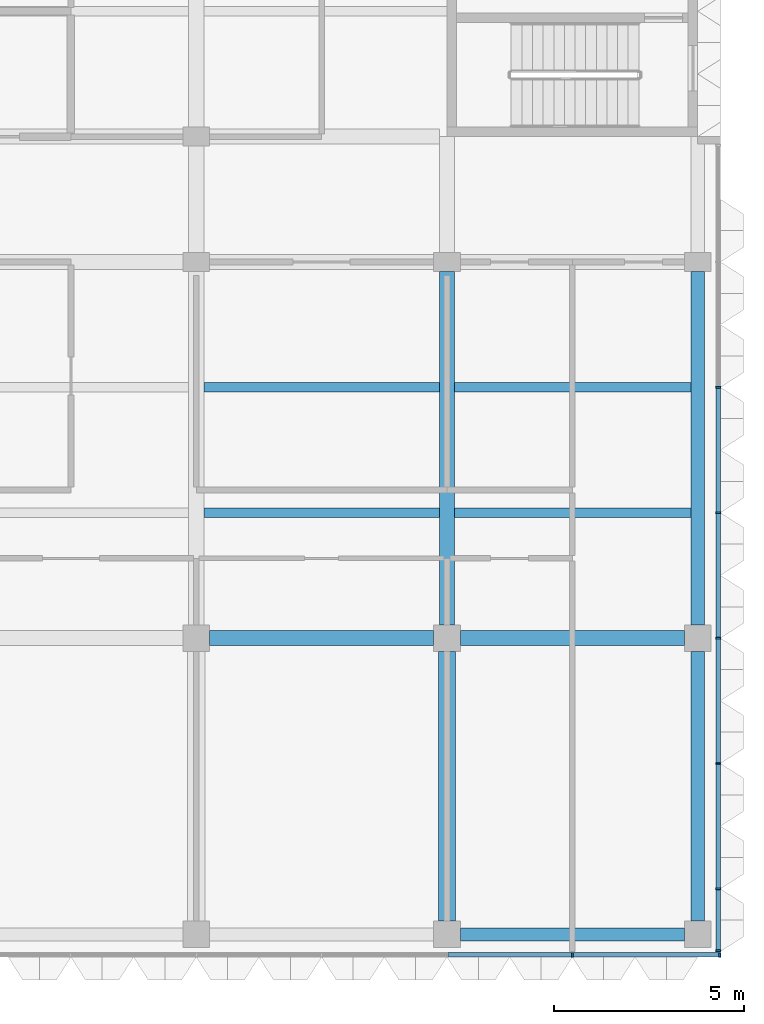
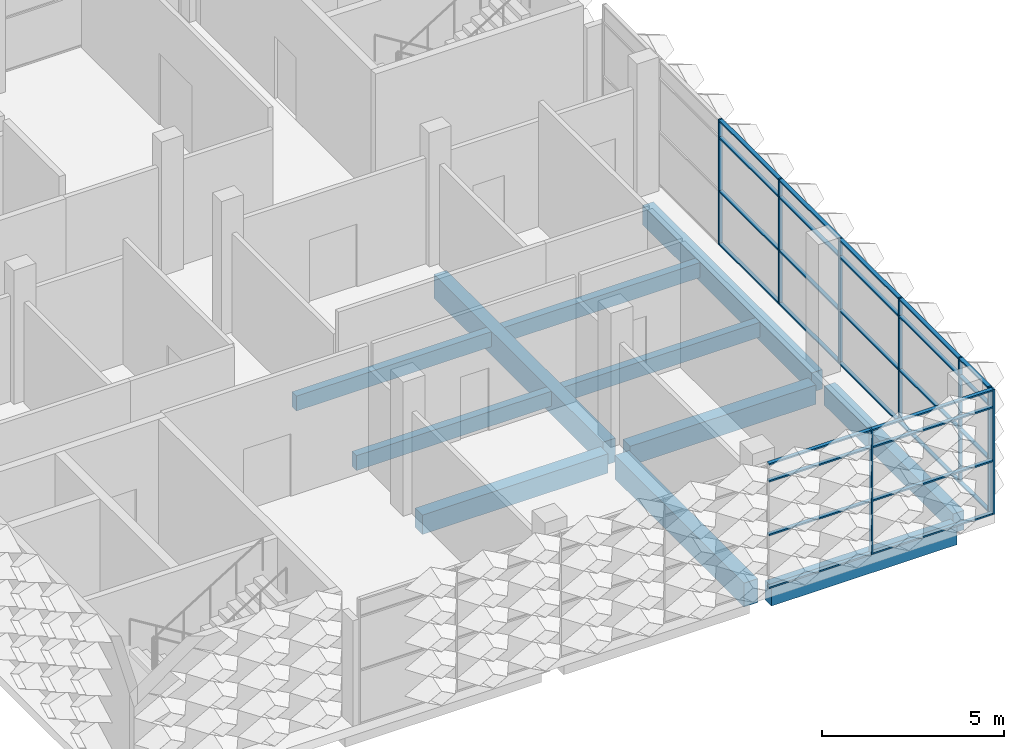
# One storey, part 3 of 28: 36 members, 11 beams, 2 elements without a shape of their own.
"""IFC4 building model written with IfcOpenShell, lengths in metres."""

from ifc_helpers import new_model, si_unit, direction, frame, origin, origin_2d, place, context, subcontext, project, spatial, rectangle, extrude, material, material_profile, profile_set, type_object, element, aggregate, save


model = new_model("IFC4")

# Units and contexts
model_context = context("Model", 3, precision=1e-05, world=origin(), true_north=direction((0.0, 1.0)))
body_context = subcontext(model_context, "Body", "Model", "MODEL_VIEW")
ifc_project = project(units=[si_unit("LENGTHUNIT", "METRE"), si_unit("AREAUNIT", "SQUARE_METRE"), si_unit("VOLUMEUNIT", "CUBIC_METRE"), si_unit("PLANEANGLEUNIT", "RADIAN"), si_unit("MASSUNIT", "GRAM", prefix="KILO")], contexts=[model_context])

# Site, building, storey
site_placement = place(None, origin())
site = spatial("IfcSite", under=ifc_project, at=site_placement, CompositionType="ELEMENT")
building_placement = place(site_placement, origin())
building = spatial("IfcBuilding", under=site, at=building_placement, Name="Lantern Court Research Institute", CompositionType="ELEMENT")
storey_placement = place(building_placement, frame((0.0, 0.0, 36.89990234375)))
storey = spatial("IfcBuildingStorey", under=building, at=storey_placement, Name="L08", CompositionType="ELEMENT", Elevation=36.89990234375)

# Curtain wall, members
ifc_material_1 = material(Name="Aluminium alloy 6063-T6", Category="aluminium")
curtain_wall_type_1 = type_object("IfcCurtainWallType", Name="Curtain wall 21250 x 4200 x 120 aluminium frame", PredefinedType="NOTDEFINED", material=ifc_material_1)
curtain_wall_1_placement = place(storey_placement, origin())
curtain_wall_1 = element("IfcCurtainWall", 1, at=curtain_wall_1_placement, inside=storey, type_object=curtain_wall_type_1, Name="Curtain wall CW085", PredefinedType="NOTDEFINED")
ifc_material_2 = material(Name="Aluminium alloy 6063-T6", Category="aluminium")
ifc_material_profile_1 = material_profile(ifc_material_2, rectangle(XDim=0.1201171875, YDim=0.050048828125, at=origin_2d()), Name="Mullion 120 x 50")
ifc_profile_set_1 = profile_set([ifc_material_profile_1], Name="Aluminium alloy 6063-T6")
member_type_1 = type_object("IfcMemberType", Name="Mullion 120 x 50 aluminium", PredefinedType="MULLION", material=ifc_profile_set_1)
member_1_placement = place(storey_placement, frame((79.739990234375, -8.22509765625, 0.0), z_axis=(0.0, 0.0, 1.0), x_axis=(1.0, 0.0, 0.0)))
member_1 = element("IfcMember", 2, at=member_1_placement, type_object=member_type_1, Name="CW085 mullion 1", PredefinedType="MULLION", context=body_context, shape_type="SweptSolid", body=[
    extrude(rectangle(XDim=0.1201171875, YDim=0.050048828125, at=origin_2d()), origin(), (0.0, 0.0, 1.0), 4.2001953125),
])
member_2_placement = place(storey_placement, frame((79.739990234375, -6.60009765625, 0.0), z_axis=(0.0, 0.0, 1.0), x_axis=(1.0, 0.0, 0.0)))
member_2 = element("IfcMember", 3, at=member_2_placement, type_object=member_type_1, Name="CW085 mullion 2", PredefinedType="MULLION", context=body_context, shape_type="SweptSolid", body=[
    extrude(rectangle(XDim=0.1201171875, YDim=0.050048828125, at=origin_2d()), origin(), (0.0, 0.0, 1.0), 4.2001953125),
])
member_3_placement = place(storey_placement, frame((79.739990234375, -3.300048828125, 0.0), z_axis=(0.0, 0.0, 1.0), x_axis=(1.0, 0.0, 0.0)))
member_3 = element("IfcMember", 4, at=member_3_placement, type_object=member_type_1, Name="CW085 mullion 3", PredefinedType="MULLION", context=body_context, shape_type="SweptSolid", body=[
    extrude(rectangle(XDim=0.1201171875, YDim=0.050048828125, at=origin_2d()), origin(), (0.0, 0.0, 1.0), 4.2001953125),
])
member_4_placement = place(storey_placement, frame((79.739990234375, 0.0, 0.0), z_axis=(0.0, 0.0, 1.0), x_axis=(1.0, 0.0, 0.0)))
member_4 = element("IfcMember", 5, at=member_4_placement, type_object=member_type_1, Name="CW085 mullion 4", PredefinedType="MULLION", context=body_context, shape_type="SweptSolid", body=[
    extrude(rectangle(XDim=0.1201171875, YDim=0.050048828125, at=origin_2d()), origin(), (0.0, 0.0, 1.0), 4.2001953125),
])
member_5_placement = place(storey_placement, frame((79.739990234375, 3.300048828125, 0.0), z_axis=(0.0, 0.0, 1.0), x_axis=(1.0, 0.0, 0.0)))
member_5 = element("IfcMember", 6, at=member_5_placement, type_object=member_type_1, Name="CW085 mullion 5", PredefinedType="MULLION", context=body_context, shape_type="SweptSolid", body=[
    extrude(rectangle(XDim=0.1201171875, YDim=0.050048828125, at=origin_2d()), origin(), (0.0, 0.0, 1.0), 4.2001953125),
])
member_6_placement = place(storey_placement, frame((79.739990234375, 6.60009765625, 0.0), z_axis=(0.0, 0.0, 1.0), x_axis=(1.0, 0.0, 0.0)))
member_6 = element("IfcMember", 7, at=member_6_placement, type_object=member_type_1, Name="CW085 mullion 6", PredefinedType="MULLION", context=body_context, shape_type="SweptSolid", body=[
    extrude(rectangle(XDim=0.1201171875, YDim=0.050048828125, at=origin_2d()), origin(), (0.0, 0.0, 1.0), 4.2001953125),
])

ifc_material_3 = material(Name="Aluminium alloy 6063-T6", Category="aluminium")
curtain_wall_type_2 = type_object("IfcCurtainWallType", Name="Curtain wall 20200 x 4200 x 120 aluminium frame", PredefinedType="NOTDEFINED", material=ifc_material_3)
curtain_wall_2_placement = place(storey_placement, origin())
curtain_wall_2 = element("IfcCurtainWall", 8, at=curtain_wall_2_placement, inside=storey, type_object=curtain_wall_type_2, Name="Curtain wall CW087", PredefinedType="NOTDEFINED")
member_7_placement = place(storey_placement, frame((75.89990234375, -8.340087890625, 0.0), z_axis=(0.0, 0.0, 1.0), x_axis=(0.0, -1.0, 0.0)))
member_7 = element("IfcMember", 9, at=member_7_placement, type_object=member_type_1, Name="CW087 mullion 6", PredefinedType="MULLION", context=body_context, shape_type="SweptSolid", body=[
    extrude(rectangle(XDim=0.1201171875, YDim=0.050048828125, at=origin_2d()), origin(), (0.0, 0.0, 1.0), 4.2001953125),
])
member_8_placement = place(storey_placement, frame((79.77490234375, -8.340087890625, 0.0), z_axis=(0.0, 0.0, 1.0), x_axis=(0.0, -1.0, 0.0)))
member_8 = element("IfcMember", 10, at=member_8_placement, type_object=member_type_1, Name="CW087 mullion 7", PredefinedType="MULLION", context=body_context, shape_type="SweptSolid", body=[
    extrude(rectangle(XDim=0.1201171875, YDim=0.050048828125, at=origin_2d()), origin(), (0.0, 0.0, 1.0), 4.2001953125),
])

# Beams
ifc_material_4 = material(Name="Concrete C40/50", Category="concrete")
ifc_material_profile_2 = material_profile(ifc_material_4, rectangle(XDim=0.39990234375, YDim=0.64990234375, at=origin_2d()), Name="RC beam 400 x 650")
ifc_profile_set_2 = profile_set([ifc_material_profile_2], Name="Concrete C40/50")
beam_type_1 = type_object("IfcBeamType", Name="RC beam 400 x 650", PredefinedType="BEAM", material=ifc_profile_set_2)
beam_1_placement = place(storey_placement, frame((66.35009765625, 0.0, -0.625), z_axis=(1.0, 0.0, 0.0), x_axis=(0.0, 1.0, 0.0)))
element("IfcBeam", 11, at=beam_1_placement, inside=storey, type_object=beam_type_1, Name="Beam L08 grid A/11-12", PredefinedType="BEAM", context=body_context, shape_type="SweptSolid", body=[
    extrude(rectangle(XDim=0.39990234375, YDim=0.64990234375, at=origin_2d()), origin(), (0.0, 0.0, 1.0), 5.89990234375),
])
beam_2_placement = place(storey_placement, frame((72.949951171875, 0.0, -0.625), z_axis=(1.0, 0.0, 0.0), x_axis=(0.0, 1.0, 0.0)))
element("IfcBeam", 12, at=beam_2_placement, inside=storey, type_object=beam_type_1, Name="Beam L08 grid A/12-13", PredefinedType="BEAM", context=body_context, shape_type="SweptSolid", body=[
    extrude(rectangle(XDim=0.39990234375, YDim=0.64990234375, at=origin_2d()), origin(), (0.0, 0.0, 1.0), 5.900146484375),
])
ifc_material_5 = material(Name="Concrete C40/50", Category="concrete")
ifc_material_profile_3 = material_profile(ifc_material_5, rectangle(XDim=0.35009765625, YDim=0.64990234375, at=origin_2d()), Name="RC beam 350 x 650")
ifc_profile_set_3 = profile_set([ifc_material_profile_3], Name="Concrete C40/50")
beam_type_2 = type_object("IfcBeamType", Name="RC edge beam 350 x 650", PredefinedType="BEAM", material=ifc_profile_set_3)
beam_3_placement = place(storey_placement, frame((79.199951171875, -7.449951171875, -0.625), z_axis=(0.0, 1.0, 0.0), x_axis=(-1.0, 0.0, 0.0)))
element("IfcBeam", 13, at=beam_3_placement, inside=storey, type_object=beam_type_2, Name="Edge beam L08 grid 13/Z-A", PredefinedType="BEAM", context=body_context, shape_type="SweptSolid", body=[
    extrude(rectangle(XDim=0.35009765625, YDim=0.64990234375, at=origin_2d()), origin(), (0.0, 0.0, 1.0), 7.099853515625),
])
beam_4_placement = place(storey_placement, frame((79.199951171875, 0.35009765625, -0.625), z_axis=(0.0, 1.0, 0.0), x_axis=(-1.0, 0.0, 0.0)))
element("IfcBeam", 14, at=beam_4_placement, inside=storey, type_object=beam_type_2, Name="Edge beam L08 grid 13/A-B", PredefinedType="BEAM", context=body_context, shape_type="SweptSolid", body=[
    extrude(rectangle(XDim=0.35009765625, YDim=0.64990234375, at=origin_2d()), origin(), (0.0, 0.0, 1.0), 9.2998046875),
])
beam_5_placement = place(storey_placement, frame((72.949951171875, -7.800048828125, -0.625), z_axis=(1.0, 0.0, 0.0), x_axis=(0.0, 1.0, 0.0)))
element("IfcBeam", 15, at=beam_5_placement, inside=storey, type_object=beam_type_2, Name="Edge beam L08 grid Z/12-13", PredefinedType="BEAM", context=body_context, shape_type="SweptSolid", body=[
    extrude(rectangle(XDim=0.35009765625, YDim=0.64990234375, at=origin_2d()), origin(), (0.0, 0.0, 1.0), 5.900146484375),
])
ifc_material_6 = material(Name="Concrete C40/50", Category="concrete")
ifc_material_profile_4 = material_profile(ifc_material_6, rectangle(XDim=0.39990234375, YDim=0.800048828125, at=origin_2d()), Name="RC beam 400 x 800")
ifc_profile_set_4 = profile_set([ifc_material_profile_4], Name="Concrete C40/50")
beam_type_3 = type_object("IfcBeamType", Name="RC girder 400 x 800", PredefinedType="BEAM", material=ifc_profile_set_4)
beam_6_placement = place(storey_placement, frame((72.60009765625, 0.35009765625, -0.699951171875), z_axis=(0.0, 1.0, 0.0), x_axis=(-1.0, 0.0, 0.0)))
element("IfcBeam", 16, at=beam_6_placement, inside=storey, type_object=beam_type_3, Name="Girder L08 grid 12/A-B", PredefinedType="BEAM", context=body_context, shape_type="SweptSolid", body=[
    extrude(rectangle(XDim=0.39990234375, YDim=0.800048828125, at=origin_2d()), origin(), (0.0, 0.0, 1.0), 9.2998046875),
])
ifc_material_7 = material(Name="Concrete C40/50", Category="concrete")
ifc_material_profile_5 = material_profile(ifc_material_7, rectangle(XDim=0.449951171875, YDim=0.800048828125, at=origin_2d()), Name="RC beam 450 x 800")
ifc_profile_set_5 = profile_set([ifc_material_profile_5], Name="Concrete C40/50")
beam_type_4 = type_object("IfcBeamType", Name="RC girder 450 x 800", PredefinedType="BEAM", material=ifc_profile_set_5)
beam_7_placement = place(storey_placement, frame((72.60009765625, -7.449951171875, -0.699951171875), z_axis=(0.0, 1.0, 0.0), x_axis=(-1.0, 0.0, 0.0)))
element("IfcBeam", 17, at=beam_7_placement, inside=storey, type_object=beam_type_4, Name="Girder L08 grid 12/Z-A", PredefinedType="BEAM", context=body_context, shape_type="SweptSolid", body=[
    extrude(rectangle(XDim=0.449951171875, YDim=0.800048828125, at=origin_2d()), origin(), (0.0, 0.0, 1.0), 7.099853515625),
])
ifc_material_8 = material(Name="Concrete C40/50", Category="concrete")
ifc_material_profile_6 = material_profile(ifc_material_8, rectangle(XDim=0.25, YDim=0.5, at=origin_2d()), Name="RC beam 250 x 500")
ifc_profile_set_6 = profile_set([ifc_material_profile_6], Name="Concrete C40/50")
beam_type_5 = type_object("IfcBeamType", Name="RC secondary beam 250 x 500", PredefinedType="BEAM", material=ifc_profile_set_6)
beam_8_placement = place(storey_placement, frame((66.199951171875, 3.300048828125, -0.5498046875), z_axis=(1.0, 0.0, 0.0), x_axis=(0.0, 1.0, 0.0)))
element("IfcBeam", 18, at=beam_8_placement, inside=storey, type_object=beam_type_5, Name="Secondary beam L08 grids 11-12 / A-B, line 1", PredefinedType="BEAM", context=body_context, shape_type="SweptSolid", body=[
    extrude(rectangle(XDim=0.25, YDim=0.5, at=origin_2d()), origin(), (0.0, 0.0, 1.0), 6.199951171875),
])
beam_9_placement = place(storey_placement, frame((72.800048828125, 3.300048828125, -0.5498046875), z_axis=(1.0, 0.0, 0.0), x_axis=(0.0, 1.0, 0.0)))
element("IfcBeam", 19, at=beam_9_placement, inside=storey, type_object=beam_type_5, Name="Secondary beam L08 grids 12-13 / A-B, line 1", PredefinedType="BEAM", context=body_context, shape_type="SweptSolid", body=[
    extrude(rectangle(XDim=0.25, YDim=0.5, at=origin_2d()), origin(), (0.0, 0.0, 1.0), 6.224853515625),
])
beam_10_placement = place(storey_placement, frame((66.199951171875, 6.60009765625, -0.5498046875), z_axis=(1.0, 0.0, 0.0), x_axis=(0.0, 1.0, 0.0)))
element("IfcBeam", 20, at=beam_10_placement, inside=storey, type_object=beam_type_5, Name="Secondary beam L08 grids 11-12 / A-B, line 2", PredefinedType="BEAM", context=body_context, shape_type="SweptSolid", body=[
    extrude(rectangle(XDim=0.25, YDim=0.5, at=origin_2d()), origin(), (0.0, 0.0, 1.0), 6.199951171875),
])
beam_11_placement = place(storey_placement, frame((72.800048828125, 6.60009765625, -0.5498046875), z_axis=(1.0, 0.0, 0.0), x_axis=(0.0, 1.0, 0.0)))
element("IfcBeam", 21, at=beam_11_placement, inside=storey, type_object=beam_type_5, Name="Secondary beam L08 grids 12-13 / A-B, line 2", PredefinedType="BEAM", context=body_context, shape_type="SweptSolid", body=[
    extrude(rectangle(XDim=0.25, YDim=0.5, at=origin_2d()), origin(), (0.0, 0.0, 1.0), 6.224853515625),
])

# Member
ifc_material_9 = material(Name="Aluminium alloy 6063-T6", Category="aluminium")
ifc_material_profile_7 = material_profile(ifc_material_9, rectangle(XDim=0.1201171875, YDim=0.050048828125, at=origin_2d()), Name="Transom 120 x 50")
ifc_profile_set_7 = profile_set([ifc_material_profile_7], Name="Aluminium alloy 6063-T6")
member_type_2 = type_object("IfcMemberType", Name="Transom 120 x 50 aluminium", PredefinedType="USERDEFINED", material=ifc_profile_set_7)
member_9_placement = place(storey_placement, frame((79.739990234375, -6.625, 0.025146484375), z_axis=(0.0, -1.0, 0.0), x_axis=(1.0, 0.0, 0.0)))
member_9 = element("IfcMember", 22, at=member_9_placement, type_object=member_type_2, Name="CW085 transom 1.1", ObjectType="TRANSOM", PredefinedType="USERDEFINED", context=body_context, shape_type="SweptSolid", body=[
    extrude(rectangle(XDim=0.1201171875, YDim=0.050048828125, at=origin_2d()), origin(), (0.0, 0.0, 1.0), 1.574951171875),
])

member_10_placement = place(storey_placement, frame((79.739990234375, -6.625, 1.800048828125), z_axis=(0.0, -1.0, 0.0), x_axis=(1.0, 0.0, 0.0)))
member_10 = element("IfcMember", 23, at=member_10_placement, type_object=member_type_2, Name="CW085 transom 1.2", ObjectType="TRANSOM", PredefinedType="USERDEFINED", context=body_context, shape_type="SweptSolid", body=[
    extrude(rectangle(XDim=0.1201171875, YDim=0.050048828125, at=origin_2d()), origin(), (0.0, 0.0, 1.0), 1.574951171875),
])

member_11_placement = place(storey_placement, frame((79.739990234375, -6.625, 3.60009765625), z_axis=(0.0, -1.0, 0.0), x_axis=(1.0, 0.0, 0.0)))
member_11 = element("IfcMember", 24, at=member_11_placement, type_object=member_type_2, Name="CW085 transom 1.3", ObjectType="TRANSOM", PredefinedType="USERDEFINED", context=body_context, shape_type="SweptSolid", body=[
    extrude(rectangle(XDim=0.1201171875, YDim=0.050048828125, at=origin_2d()), origin(), (0.0, 0.0, 1.0), 1.574951171875),
])

member_12_placement = place(storey_placement, frame((79.739990234375, -6.625, 4.175048828125), z_axis=(0.0, -1.0, 0.0), x_axis=(1.0, 0.0, 0.0)))
member_12 = element("IfcMember", 25, at=member_12_placement, type_object=member_type_2, Name="CW085 transom 1.4", ObjectType="TRANSOM", PredefinedType="USERDEFINED", context=body_context, shape_type="SweptSolid", body=[
    extrude(rectangle(XDim=0.1201171875, YDim=0.050048828125, at=origin_2d()), origin(), (0.0, 0.0, 1.0), 1.574951171875),
])

member_13_placement = place(storey_placement, frame((79.739990234375, -3.324951171875, 0.025146484375), z_axis=(0.0, -1.0, 0.0), x_axis=(1.0, 0.0, 0.0)))
member_13 = element("IfcMember", 26, at=member_13_placement, type_object=member_type_2, Name="CW085 transom 2.1", ObjectType="TRANSOM", PredefinedType="USERDEFINED", context=body_context, shape_type="SweptSolid", body=[
    extrude(rectangle(XDim=0.1201171875, YDim=0.050048828125, at=origin_2d()), origin(), (0.0, 0.0, 1.0), 3.25),
])

member_14_placement = place(storey_placement, frame((79.739990234375, -3.324951171875, 1.800048828125), z_axis=(0.0, -1.0, 0.0), x_axis=(1.0, 0.0, 0.0)))
member_14 = element("IfcMember", 27, at=member_14_placement, type_object=member_type_2, Name="CW085 transom 2.2", ObjectType="TRANSOM", PredefinedType="USERDEFINED", context=body_context, shape_type="SweptSolid", body=[
    extrude(rectangle(XDim=0.1201171875, YDim=0.050048828125, at=origin_2d()), origin(), (0.0, 0.0, 1.0), 3.25),
])

member_15_placement = place(storey_placement, frame((79.739990234375, -3.324951171875, 3.60009765625), z_axis=(0.0, -1.0, 0.0), x_axis=(1.0, 0.0, 0.0)))
member_15 = element("IfcMember", 28, at=member_15_placement, type_object=member_type_2, Name="CW085 transom 2.3", ObjectType="TRANSOM", PredefinedType="USERDEFINED", context=body_context, shape_type="SweptSolid", body=[
    extrude(rectangle(XDim=0.1201171875, YDim=0.050048828125, at=origin_2d()), origin(), (0.0, 0.0, 1.0), 3.25),
])

member_16_placement = place(storey_placement, frame((79.739990234375, -3.324951171875, 4.175048828125), z_axis=(0.0, -1.0, 0.0), x_axis=(1.0, 0.0, 0.0)))
member_16 = element("IfcMember", 29, at=member_16_placement, type_object=member_type_2, Name="CW085 transom 2.4", ObjectType="TRANSOM", PredefinedType="USERDEFINED", context=body_context, shape_type="SweptSolid", body=[
    extrude(rectangle(XDim=0.1201171875, YDim=0.050048828125, at=origin_2d()), origin(), (0.0, 0.0, 1.0), 3.25),
])

member_17_placement = place(storey_placement, frame((79.739990234375, -0.02490234375, 0.025146484375), z_axis=(0.0, -1.0, 0.0), x_axis=(1.0, 0.0, 0.0)))
member_17 = element("IfcMember", 30, at=member_17_placement, type_object=member_type_2, Name="CW085 transom 3.1", ObjectType="TRANSOM", PredefinedType="USERDEFINED", context=body_context, shape_type="SweptSolid", body=[
    extrude(rectangle(XDim=0.1201171875, YDim=0.050048828125, at=origin_2d()), origin(), (0.0, 0.0, 1.0), 3.25),
])

member_18_placement = place(storey_placement, frame((79.739990234375, -0.02490234375, 1.800048828125), z_axis=(0.0, -1.0, 0.0), x_axis=(1.0, 0.0, 0.0)))
member_18 = element("IfcMember", 31, at=member_18_placement, type_object=member_type_2, Name="CW085 transom 3.2", ObjectType="TRANSOM", PredefinedType="USERDEFINED", context=body_context, shape_type="SweptSolid", body=[
    extrude(rectangle(XDim=0.1201171875, YDim=0.050048828125, at=origin_2d()), origin(), (0.0, 0.0, 1.0), 3.25),
])

member_19_placement = place(storey_placement, frame((79.739990234375, -0.02490234375, 3.60009765625), z_axis=(0.0, -1.0, 0.0), x_axis=(1.0, 0.0, 0.0)))
member_19 = element("IfcMember", 32, at=member_19_placement, type_object=member_type_2, Name="CW085 transom 3.3", ObjectType="TRANSOM", PredefinedType="USERDEFINED", context=body_context, shape_type="SweptSolid", body=[
    extrude(rectangle(XDim=0.1201171875, YDim=0.050048828125, at=origin_2d()), origin(), (0.0, 0.0, 1.0), 3.25),
])

member_20_placement = place(storey_placement, frame((79.739990234375, -0.02490234375, 4.175048828125), z_axis=(0.0, -1.0, 0.0), x_axis=(1.0, 0.0, 0.0)))
member_20 = element("IfcMember", 33, at=member_20_placement, type_object=member_type_2, Name="CW085 transom 3.4", ObjectType="TRANSOM", PredefinedType="USERDEFINED", context=body_context, shape_type="SweptSolid", body=[
    extrude(rectangle(XDim=0.1201171875, YDim=0.050048828125, at=origin_2d()), origin(), (0.0, 0.0, 1.0), 3.25),
])

member_21_placement = place(storey_placement, frame((79.739990234375, 3.27490234375, 0.025146484375), z_axis=(0.0, -1.0, 0.0), x_axis=(1.0, 0.0, 0.0)))
member_21 = element("IfcMember", 34, at=member_21_placement, type_object=member_type_2, Name="CW085 transom 4.1", ObjectType="TRANSOM", PredefinedType="USERDEFINED", context=body_context, shape_type="SweptSolid", body=[
    extrude(rectangle(XDim=0.1201171875, YDim=0.050048828125, at=origin_2d()), origin(), (0.0, 0.0, 1.0), 3.25),
])

member_22_placement = place(storey_placement, frame((79.739990234375, 3.27490234375, 1.800048828125), z_axis=(0.0, -1.0, 0.0), x_axis=(1.0, 0.0, 0.0)))
member_22 = element("IfcMember", 35, at=member_22_placement, type_object=member_type_2, Name="CW085 transom 4.2", ObjectType="TRANSOM", PredefinedType="USERDEFINED", context=body_context, shape_type="SweptSolid", body=[
    extrude(rectangle(XDim=0.1201171875, YDim=0.050048828125, at=origin_2d()), origin(), (0.0, 0.0, 1.0), 3.25),
])

member_23_placement = place(storey_placement, frame((79.739990234375, 3.27490234375, 3.60009765625), z_axis=(0.0, -1.0, 0.0), x_axis=(1.0, 0.0, 0.0)))
member_23 = element("IfcMember", 36, at=member_23_placement, type_object=member_type_2, Name="CW085 transom 4.3", ObjectType="TRANSOM", PredefinedType="USERDEFINED", context=body_context, shape_type="SweptSolid", body=[
    extrude(rectangle(XDim=0.1201171875, YDim=0.050048828125, at=origin_2d()), origin(), (0.0, 0.0, 1.0), 3.25),
])

member_24_placement = place(storey_placement, frame((79.739990234375, 3.27490234375, 4.175048828125), z_axis=(0.0, -1.0, 0.0), x_axis=(1.0, 0.0, 0.0)))
member_24 = element("IfcMember", 37, at=member_24_placement, type_object=member_type_2, Name="CW085 transom 4.4", ObjectType="TRANSOM", PredefinedType="USERDEFINED", context=body_context, shape_type="SweptSolid", body=[
    extrude(rectangle(XDim=0.1201171875, YDim=0.050048828125, at=origin_2d()), origin(), (0.0, 0.0, 1.0), 3.25),
])

member_25_placement = place(storey_placement, frame((79.739990234375, 6.574951171875, 0.025146484375), z_axis=(0.0, -1.0, 0.0), x_axis=(1.0, 0.0, 0.0)))
member_25 = element("IfcMember", 38, at=member_25_placement, type_object=member_type_2, Name="CW085 transom 5.1", ObjectType="TRANSOM", PredefinedType="USERDEFINED", context=body_context, shape_type="SweptSolid", body=[
    extrude(rectangle(XDim=0.1201171875, YDim=0.050048828125, at=origin_2d()), origin(), (0.0, 0.0, 1.0), 3.25),
])

member_26_placement = place(storey_placement, frame((79.739990234375, 6.574951171875, 1.800048828125), z_axis=(0.0, -1.0, 0.0), x_axis=(1.0, 0.0, 0.0)))
member_26 = element("IfcMember", 39, at=member_26_placement, type_object=member_type_2, Name="CW085 transom 5.2", ObjectType="TRANSOM", PredefinedType="USERDEFINED", context=body_context, shape_type="SweptSolid", body=[
    extrude(rectangle(XDim=0.1201171875, YDim=0.050048828125, at=origin_2d()), origin(), (0.0, 0.0, 1.0), 3.25),
])

member_27_placement = place(storey_placement, frame((79.739990234375, 6.574951171875, 3.60009765625), z_axis=(0.0, -1.0, 0.0), x_axis=(1.0, 0.0, 0.0)))
member_27 = element("IfcMember", 40, at=member_27_placement, type_object=member_type_2, Name="CW085 transom 5.3", ObjectType="TRANSOM", PredefinedType="USERDEFINED", context=body_context, shape_type="SweptSolid", body=[
    extrude(rectangle(XDim=0.1201171875, YDim=0.050048828125, at=origin_2d()), origin(), (0.0, 0.0, 1.0), 3.25),
])

member_28_placement = place(storey_placement, frame((79.739990234375, 6.574951171875, 4.175048828125), z_axis=(0.0, -1.0, 0.0), x_axis=(1.0, 0.0, 0.0)))
member_28 = element("IfcMember", 41, at=member_28_placement, type_object=member_type_2, Name="CW085 transom 5.4", ObjectType="TRANSOM", PredefinedType="USERDEFINED", context=body_context, shape_type="SweptSolid", body=[
    extrude(rectangle(XDim=0.1201171875, YDim=0.050048828125, at=origin_2d()), origin(), (0.0, 0.0, 1.0), 3.25),
])

aggregate(curtain_wall_1, [member_1, member_2, member_3, member_4, member_5, member_6, member_9, member_10, member_11, member_12, member_13, member_14, member_15, member_16, member_17, member_18, member_19, member_20, member_21, member_22, member_23, member_24, member_25, member_26, member_27, member_28])

member_29_placement = place(storey_placement, frame((75.875, -8.340087890625, 0.025146484375), z_axis=(-1.0, 0.0, 0.0), x_axis=(0.0, -1.0, 0.0)))
member_29 = element("IfcMember", 42, at=member_29_placement, type_object=member_type_2, Name="CW087 transom 5.1", ObjectType="TRANSOM", PredefinedType="USERDEFINED", context=body_context, shape_type="SweptSolid", body=[
    extrude(rectangle(XDim=0.1201171875, YDim=0.050048828125, at=origin_2d()), origin(), (0.0, 0.0, 1.0), 3.25),
])

member_30_placement = place(storey_placement, frame((75.875, -8.340087890625, 1.800048828125), z_axis=(-1.0, 0.0, 0.0), x_axis=(0.0, -1.0, 0.0)))
member_30 = element("IfcMember", 43, at=member_30_placement, type_object=member_type_2, Name="CW087 transom 5.2", ObjectType="TRANSOM", PredefinedType="USERDEFINED", context=body_context, shape_type="SweptSolid", body=[
    extrude(rectangle(XDim=0.1201171875, YDim=0.050048828125, at=origin_2d()), origin(), (0.0, 0.0, 1.0), 3.25),
])

member_31_placement = place(storey_placement, frame((75.875, -8.340087890625, 3.60009765625), z_axis=(-1.0, 0.0, 0.0), x_axis=(0.0, -1.0, 0.0)))
member_31 = element("IfcMember", 44, at=member_31_placement, type_object=member_type_2, Name="CW087 transom 5.3", ObjectType="TRANSOM", PredefinedType="USERDEFINED", context=body_context, shape_type="SweptSolid", body=[
    extrude(rectangle(XDim=0.1201171875, YDim=0.050048828125, at=origin_2d()), origin(), (0.0, 0.0, 1.0), 3.25),
])

member_32_placement = place(storey_placement, frame((75.875, -8.340087890625, 4.175048828125), z_axis=(-1.0, 0.0, 0.0), x_axis=(0.0, -1.0, 0.0)))
member_32 = element("IfcMember", 45, at=member_32_placement, type_object=member_type_2, Name="CW087 transom 5.4", ObjectType="TRANSOM", PredefinedType="USERDEFINED", context=body_context, shape_type="SweptSolid", body=[
    extrude(rectangle(XDim=0.1201171875, YDim=0.050048828125, at=origin_2d()), origin(), (0.0, 0.0, 1.0), 3.25),
])

member_33_placement = place(storey_placement, frame((79.75, -8.340087890625, 0.025146484375), z_axis=(-1.0, 0.0, 0.0), x_axis=(0.0, -1.0, 0.0)))
member_33 = element("IfcMember", 46, at=member_33_placement, type_object=member_type_2, Name="CW087 transom 6.1", ObjectType="TRANSOM", PredefinedType="USERDEFINED", context=body_context, shape_type="SweptSolid", body=[
    extrude(rectangle(XDim=0.1201171875, YDim=0.050048828125, at=origin_2d()), origin(), (0.0, 0.0, 1.0), 3.824951171875),
])

member_34_placement = place(storey_placement, frame((79.75, -8.340087890625, 1.800048828125), z_axis=(-1.0, 0.0, 0.0), x_axis=(0.0, -1.0, 0.0)))
member_34 = element("IfcMember", 47, at=member_34_placement, type_object=member_type_2, Name="CW087 transom 6.2", ObjectType="TRANSOM", PredefinedType="USERDEFINED", context=body_context, shape_type="SweptSolid", body=[
    extrude(rectangle(XDim=0.1201171875, YDim=0.050048828125, at=origin_2d()), origin(), (0.0, 0.0, 1.0), 3.824951171875),
])

member_35_placement = place(storey_placement, frame((79.75, -8.340087890625, 3.60009765625), z_axis=(-1.0, 0.0, 0.0), x_axis=(0.0, -1.0, 0.0)))
member_35 = element("IfcMember", 48, at=member_35_placement, type_object=member_type_2, Name="CW087 transom 6.3", ObjectType="TRANSOM", PredefinedType="USERDEFINED", context=body_context, shape_type="SweptSolid", body=[
    extrude(rectangle(XDim=0.1201171875, YDim=0.050048828125, at=origin_2d()), origin(), (0.0, 0.0, 1.0), 3.824951171875),
])

member_36_placement = place(storey_placement, frame((79.75, -8.340087890625, 4.175048828125), z_axis=(-1.0, 0.0, 0.0), x_axis=(0.0, -1.0, 0.0)))
member_36 = element("IfcMember", 49, at=member_36_placement, type_object=member_type_2, Name="CW087 transom 6.4", ObjectType="TRANSOM", PredefinedType="USERDEFINED", context=body_context, shape_type="SweptSolid", body=[
    extrude(rectangle(XDim=0.1201171875, YDim=0.050048828125, at=origin_2d()), origin(), (0.0, 0.0, 1.0), 3.824951171875),
])

aggregate(curtain_wall_2, [member_7, member_8, member_29, member_30, member_31, member_32, member_33, member_34, member_35, member_36])

save(model, "model.ifc")
